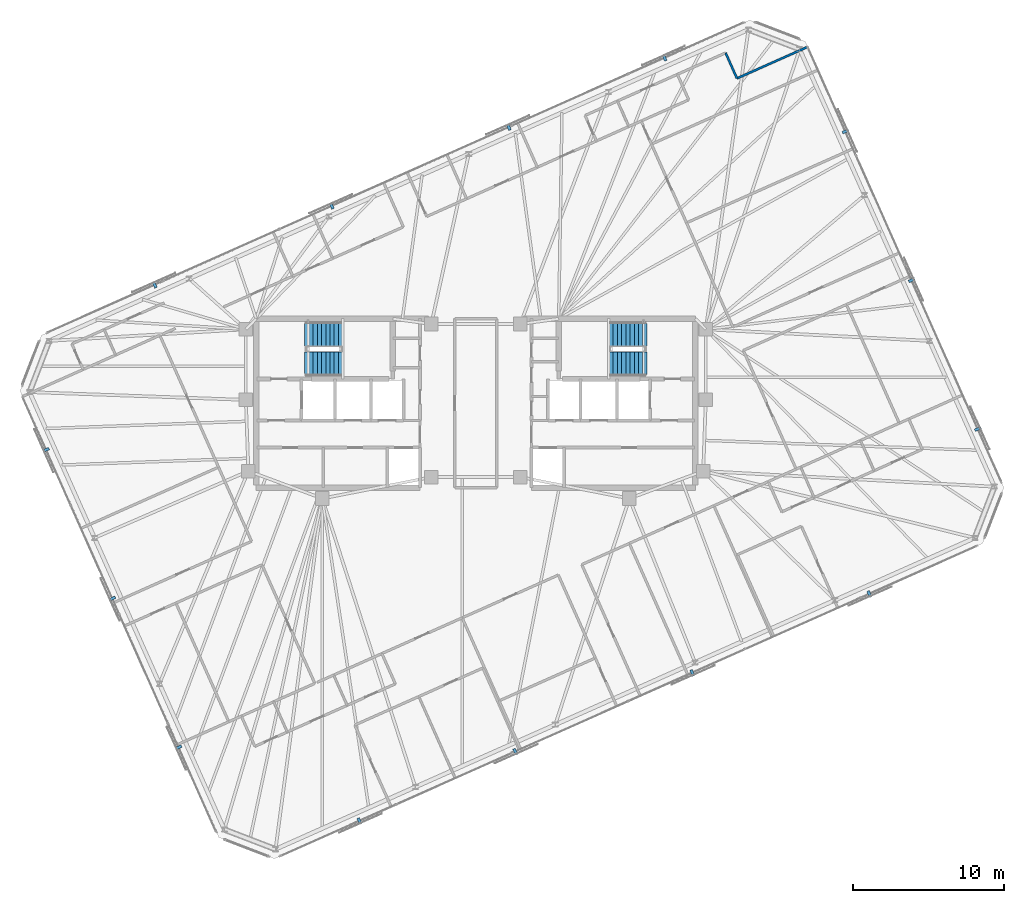
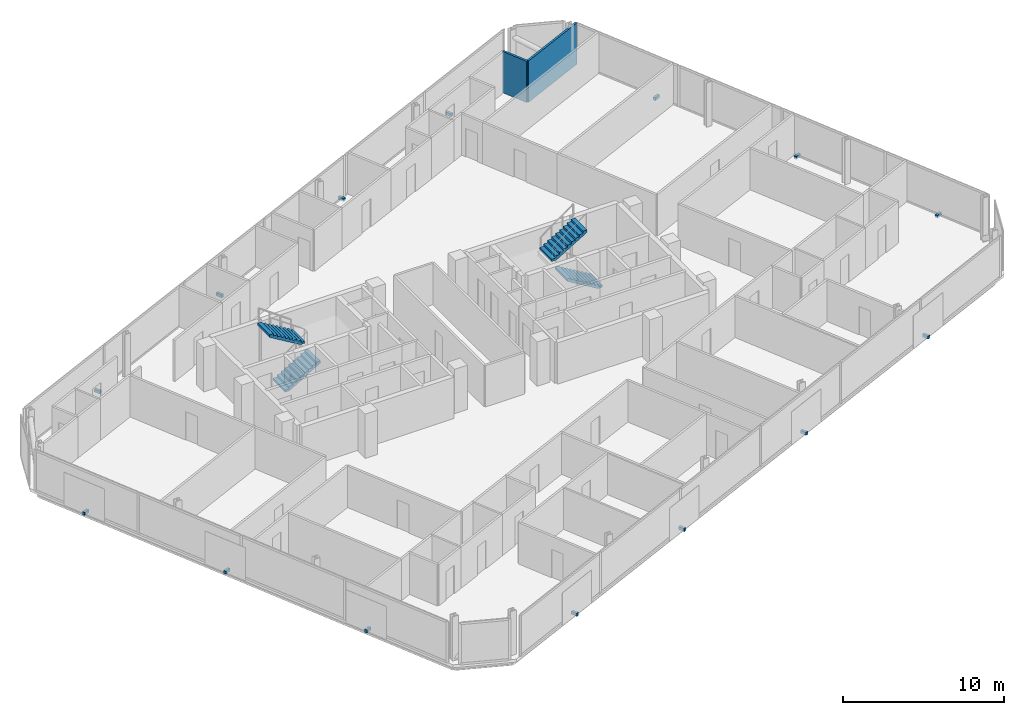
# One storey, part 17 of 18: 14 discrete accessories, 4 stair flights, 2 walls, 2 elements without a shape of their own.
"""IFC4 building model written with IfcOpenShell, lengths in metres."""

from ifc_helpers import new_model, si_unit, direction, frame, frame_2d, origin, origin_2d, place, context, subcontext, project, spatial, polyline, rectangle, outline, extrude, material, layer, layer_set, type_object, element, aggregate, save


model = new_model("IFC4")

# Units and contexts
model_context = context("Model", 3, precision=1e-05, world=origin(), true_north=direction((0.0, 1.0)))
body_context = subcontext(model_context, "Body", "Model", "MODEL_VIEW")
ifc_project = project(units=[si_unit("LENGTHUNIT", "METRE"), si_unit("AREAUNIT", "SQUARE_METRE"), si_unit("VOLUMEUNIT", "CUBIC_METRE"), si_unit("PLANEANGLEUNIT", "RADIAN"), si_unit("MASSUNIT", "GRAM", prefix="KILO")], contexts=[model_context])

# Site, building, storey
site_placement = place(None, origin())
site = spatial("IfcSite", under=ifc_project, at=site_placement, CompositionType="ELEMENT")
building_placement = place(site_placement, origin())
building = spatial("IfcBuilding", under=site, at=building_placement, Name="Menara Jurai Vektor", CompositionType="ELEMENT")
storey_placement = place(building_placement, frame((0.0, 0.0, 298.64990234375)))
storey = spatial("IfcBuildingStorey", under=building, at=storey_placement, Name="L80", CompositionType="ELEMENT", Elevation=298.64990234375)

# Walls
ifc_material_1 = material(Name="Gypsum Fireboard Partition", Category="gypsum")
ifc_layer = layer(ifc_material_1, 0.14990234375)
ifc_layer_set = layer_set([ifc_layer], Name="Gypsum Fireboard Partition")
wall_type = type_object("IfcWallType", Name="INT-WALL-CORR-150", PredefinedType="PARTITIONING", material=ifc_layer_set)
wall_1_placement = place(storey_placement, frame((17.317626953125, 21.539306640625, 0.0), z_axis=(0.0, 0.0, 1.0), x_axis=(-0.406750635596, 0.913539227643, 0.0)))
element("IfcWall", 1, at=wall_1_placement, inside=storey, type_object=wall_type, Name="Interior Wall IW-150 L80", PredefinedType="PARTITIONING", context=body_context, shape_type="SweptSolid", body=[
    extrude(rectangle(XDim=1.849853515625, YDim=0.14990234375, at=frame_2d((0.9248046875, 0.0))), origin(), (0.0, 0.0, 1.0), 3.125),
])
wall_2_placement = place(storey_placement, frame((17.317626953125, 21.539306640625, 0.0), z_axis=(0.0, 0.0, 1.0), x_axis=(0.91356434511, 0.406694218479, 0.0)))
element("IfcWall", 2, at=wall_2_placement, inside=storey, type_object=wall_type, Name="Interior Wall IW-150 L80", PredefinedType="PARTITIONING", context=body_context, shape_type="SweptSolid", body=[
    extrude(rectangle(XDim=5.135009765625, YDim=0.14990234375, at=frame_2d((2.5673828125, 0.0))), origin(), (0.0, 0.0, 1.0), 3.125),
])

# Stair, stair flights
ifc_material_2 = material(Name="Concrete C40/50", Category="concrete")
stair_type = type_object("IfcStairType", Name="STAIR-DOGLEG-1500", PredefinedType="HALF_TURN_STAIR", material=ifc_material_2)
stair_1_placement = place(storey_placement, origin())
stair_1 = element("IfcStair", 3, at=stair_1_placement, inside=storey, type_object=stair_type, Name="Protected Exit Stair ST1 L80", PredefinedType="HALF_TURN_STAIR")
stair_flight_type = type_object("IfcStairFlightType", Name="STAIR-FLIGHT-1500", PredefinedType="STRAIGHT", material=ifc_material_2)
stair_flight_1_placement = place(storey_placement, frame((-11.35009765625, 2.64990234375, 0.0), z_axis=(0.0, 0.0, 1.0), x_axis=(1.0, 0.0, 0.0)))
stair_flight_1 = element("IfcStairFlight", 4, at=stair_flight_1_placement, type_object=stair_flight_type, Name="ST1 flight 1", NumberOfRisers=10, NumberOfTreads=9, PredefinedType="STRAIGHT", RiserHeight=0.1675, TreadLength=0.28, context=body_context, shape_type="SweptSolid", body=[
    extrude(outline(polyline([(0.0, 0.0), (0.0, 0.16748046875), (0.280029296875, 0.16748046875), (0.280029296875, 0.3349609375), (0.56005859375, 0.3349609375), (0.56005859375, 0.50244140625), (0.840087890625, 0.50244140625), (0.840087890625, 0.669921875), (1.1201171875, 0.669921875), (1.1201171875, 0.83740234375), (1.39990234375, 0.83740234375), (1.39990234375, 1.0048828125), (1.679931640625, 1.0048828125), (1.679931640625, 1.172607421875), (1.9599609375, 1.172607421875), (1.9599609375, 1.340087890625), (2.239990234375, 1.340087890625), (2.239990234375, 1.507568359375), (2.52001953125, 1.507568359375), (2.52001953125, 1.675048828125), (2.52001953125, 1.321044921875), (0.3115234375, 0.0), (0.0, 0.0)])), frame((0.0, 0.75, 0.0), z_axis=(0.0, -1.0, 0.0), x_axis=(1.0, 0.0, 0.0)), (0.0, 0.0, 1.0), 1.5),
])
stair_flight_2_placement = place(storey_placement, frame((-8.830078125, 4.550048828125, 1.675048828125), z_axis=(0.0, 0.0, 1.0), x_axis=(-1.0, 0.0, 0.0)))
stair_flight_2 = element("IfcStairFlight", 5, at=stair_flight_2_placement, type_object=stair_flight_type, Name="ST1 flight 2", NumberOfRisers=10, NumberOfTreads=9, PredefinedType="STRAIGHT", RiserHeight=0.1675, TreadLength=0.28, context=body_context, shape_type="SweptSolid", body=[
    extrude(outline(polyline([(0.0, 0.0), (0.0, 0.16748046875), (0.280029296875, 0.16748046875), (0.280029296875, 0.3349609375), (0.56005859375, 0.3349609375), (0.56005859375, 0.50244140625), (0.840087890625, 0.50244140625), (0.840087890625, 0.669921875), (1.1201171875, 0.669921875), (1.1201171875, 0.83740234375), (1.39990234375, 0.83740234375), (1.39990234375, 1.0048828125), (1.679931640625, 1.0048828125), (1.679931640625, 1.172607421875), (1.9599609375, 1.172607421875), (1.9599609375, 1.340087890625), (2.239990234375, 1.340087890625), (2.239990234375, 1.507568359375), (2.52001953125, 1.507568359375), (2.52001953125, 1.675048828125), (2.52001953125, 1.321044921875), (0.3115234375, 0.0), (0.0, 0.0)])), frame((0.0, 0.75, 0.0), z_axis=(0.0, -1.0, 0.0), x_axis=(1.0, 0.0, 0.0)), (0.0, 0.0, 1.0), 1.5),
])
aggregate(stair_1, [stair_flight_1, stair_flight_2])

stair_2_placement = place(storey_placement, origin())
stair_2 = element("IfcStair", 6, at=stair_2_placement, inside=storey, type_object=stair_type, Name="Protected Exit Stair ST2 L80", PredefinedType="HALF_TURN_STAIR")
stair_flight_3_placement = place(storey_placement, frame((11.35009765625, 2.64990234375, 0.0), z_axis=(0.0, 0.0, 1.0), x_axis=(-1.0, 0.0, 0.0)))
stair_flight_3 = element("IfcStairFlight", 7, at=stair_flight_3_placement, type_object=stair_flight_type, Name="ST2 flight 1", NumberOfRisers=10, NumberOfTreads=9, PredefinedType="STRAIGHT", RiserHeight=0.1675, TreadLength=0.28, context=body_context, shape_type="SweptSolid", body=[
    extrude(outline(polyline([(0.0, 0.0), (0.0, 0.16748046875), (0.280029296875, 0.16748046875), (0.280029296875, 0.3349609375), (0.56005859375, 0.3349609375), (0.56005859375, 0.50244140625), (0.840087890625, 0.50244140625), (0.840087890625, 0.669921875), (1.1201171875, 0.669921875), (1.1201171875, 0.83740234375), (1.39990234375, 0.83740234375), (1.39990234375, 1.0048828125), (1.679931640625, 1.0048828125), (1.679931640625, 1.172607421875), (1.9599609375, 1.172607421875), (1.9599609375, 1.340087890625), (2.239990234375, 1.340087890625), (2.239990234375, 1.507568359375), (2.52001953125, 1.507568359375), (2.52001953125, 1.675048828125), (2.52001953125, 1.321044921875), (0.3115234375, 0.0), (0.0, 0.0)])), frame((0.0, 0.75, 0.0), z_axis=(0.0, -1.0, 0.0), x_axis=(1.0, 0.0, 0.0)), (0.0, 0.0, 1.0), 1.5),
])
stair_flight_4_placement = place(storey_placement, frame((8.830078125, 4.550048828125, 1.675048828125), z_axis=(0.0, 0.0, 1.0), x_axis=(1.0, 0.0, 0.0)))
stair_flight_4 = element("IfcStairFlight", 8, at=stair_flight_4_placement, type_object=stair_flight_type, Name="ST2 flight 2", NumberOfRisers=10, NumberOfTreads=9, PredefinedType="STRAIGHT", RiserHeight=0.1675, TreadLength=0.28, context=body_context, shape_type="SweptSolid", body=[
    extrude(outline(polyline([(0.0, 0.0), (0.0, 0.16748046875), (0.280029296875, 0.16748046875), (0.280029296875, 0.3349609375), (0.56005859375, 0.3349609375), (0.56005859375, 0.50244140625), (0.840087890625, 0.50244140625), (0.840087890625, 0.669921875), (1.1201171875, 0.669921875), (1.1201171875, 0.83740234375), (1.39990234375, 0.83740234375), (1.39990234375, 1.0048828125), (1.679931640625, 1.0048828125), (1.679931640625, 1.172607421875), (1.9599609375, 1.172607421875), (1.9599609375, 1.340087890625), (2.239990234375, 1.340087890625), (2.239990234375, 1.507568359375), (2.52001953125, 1.507568359375), (2.52001953125, 1.675048828125), (2.52001953125, 1.321044921875), (0.3115234375, 0.0), (0.0, 0.0)])), frame((0.0, 0.75, 0.0), z_axis=(0.0, -1.0, 0.0), x_axis=(1.0, 0.0, 0.0)), (0.0, 0.0, 1.0), 1.5),
])
aggregate(stair_2, [stair_flight_3, stair_flight_4])

# Discrete accessories
ifc_material_3 = material(Name="Steel S355", Category="steel")
discrete_accessory_type = type_object("IfcDiscreteAccessoryType", Name="ENV-ACC-BRACKET", PredefinedType="BRACKET", material=ifc_material_3)
for number, where, z_axis, x_axis, name in (
    (9, (-7.711181640625, -27.7109375, -0.1298828125), (0.0, 0.0, 1.0), (0.913545457643, 0.406736643076, 0.0), "Solar Screen Stand-Off Bracket L80-S01"),
    (10, (2.619140625, -23.111572265625, -0.1298828125), (0.0, 0.0, 1.0), (0.913545457643, 0.406736643076, 0.0), "Solar Screen Stand-Off Bracket L80-S02"),
    (11, (14.358154296875, -17.885009765625, -0.1298828125), (0.0, 0.0, 1.0), (0.913545457643, 0.406736643076, 0.0), "Solar Screen Stand-Off Bracket L80-S03"),
    (12, (26.09716796875, -12.658203125, -0.1298828125), (0.0, 0.0, 1.0), (0.913545457643, 0.406736643076, 0.0), "Solar Screen Stand-Off Bracket L80-S04"),
    (13, (33.29931640625, -1.706298828125, -0.1298828125), (0.0, 0.0, 1.0), (-0.406736643076, 0.913545457643, 0.0), "Solar Screen Stand-Off Bracket L80-S05"),
    (14, (28.906494140625, 8.16015625, -0.1298828125), (0.0, 0.0, 1.0), (-0.406736643076, 0.913545457643, 0.0), "Solar Screen Stand-Off Bracket L80-S06"),
    (15, (24.513671875, 18.0263671875, -0.1298828125), (0.0, 0.0, 1.0), (-0.406736643076, 0.913545457643, 0.0), "Solar Screen Stand-Off Bracket L80-S07"),
    (16, (12.51123046875, 22.910888671875, -0.1298828125), (0.0, 0.0, 1.0), (-0.913545457643, -0.406736643076, 0.0), "Solar Screen Stand-Off Bracket L80-S08"),
    (17, (2.180908203125, 18.3115234375, -0.1298828125), (0.0, 0.0, 1.0), (-0.913545457643, -0.406736643076, 0.0), "Solar Screen Stand-Off Bracket L80-S09"),
    (18, (-9.55810546875, 13.0849609375, -0.1298828125), (0.0, 0.0, 1.0), (-0.913545457643, -0.406736643076, 0.0), "Solar Screen Stand-Off Bracket L80-S10"),
    (19, (-21.297119140625, 7.8583984375, -0.1298828125), (0.0, 0.0, 1.0), (-0.913545457643, -0.406736643076, 0.0), "Solar Screen Stand-Off Bracket L80-S11"),
    (20, (-28.499267578125, -3.09375, -0.1298828125), (0.0, 0.0, 1.0), (0.406736643076, -0.913545457643, 0.0), "Solar Screen Stand-Off Bracket L80-S12"),
    (21, (-24.1064453125, -12.960205078125, -0.1298828125), (0.0, 0.0, 1.0), (0.406736643076, -0.913545457643, 0.0), "Solar Screen Stand-Off Bracket L80-S13"),
    (22, (-19.713623046875, -22.826416015625, -0.1298828125), (0.0, 0.0, 1.0), (0.406736643076, -0.913545457643, 0.0), "Solar Screen Stand-Off Bracket L80-S14"),
):
    element("IfcDiscreteAccessory", number, at=place(storey_placement, frame(where, z_axis=z_axis, x_axis=x_axis)), inside=storey, type_object=discrete_accessory_type, Name=name, PredefinedType="BRACKET", context=body_context, shape_type="SweptSolid", body=[
        extrude(rectangle(XDim=0.179931640625, YDim=0.43994140625, at=origin_2d()), origin(), (0.0, 0.0, 1.0), 0.219970703125),
    ])

save(model, "model.ifc")
